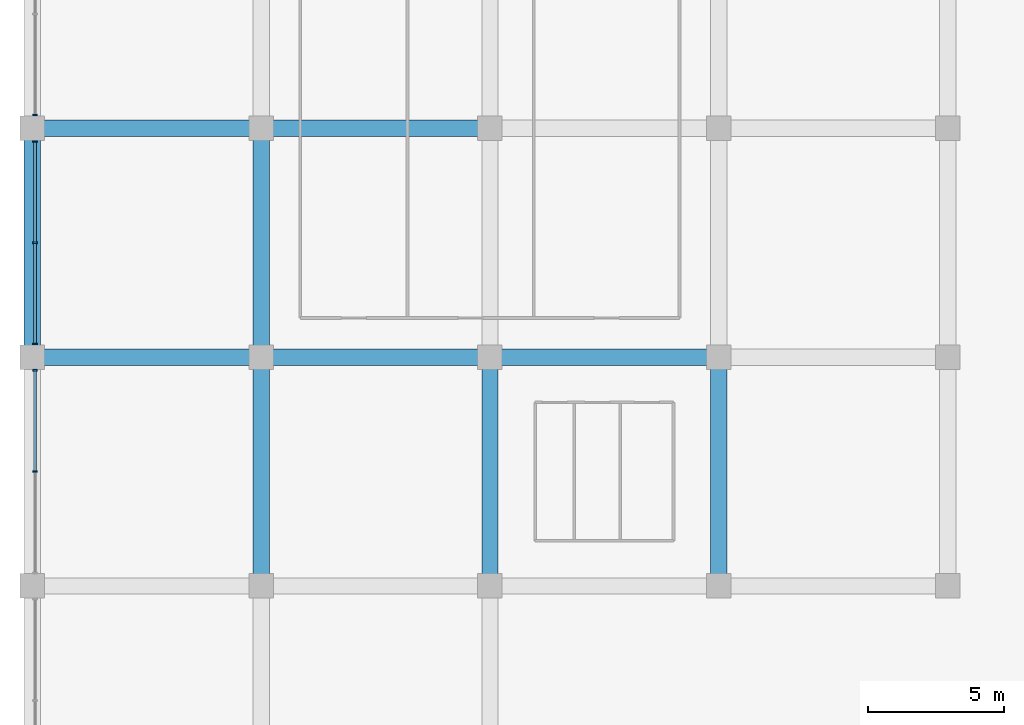
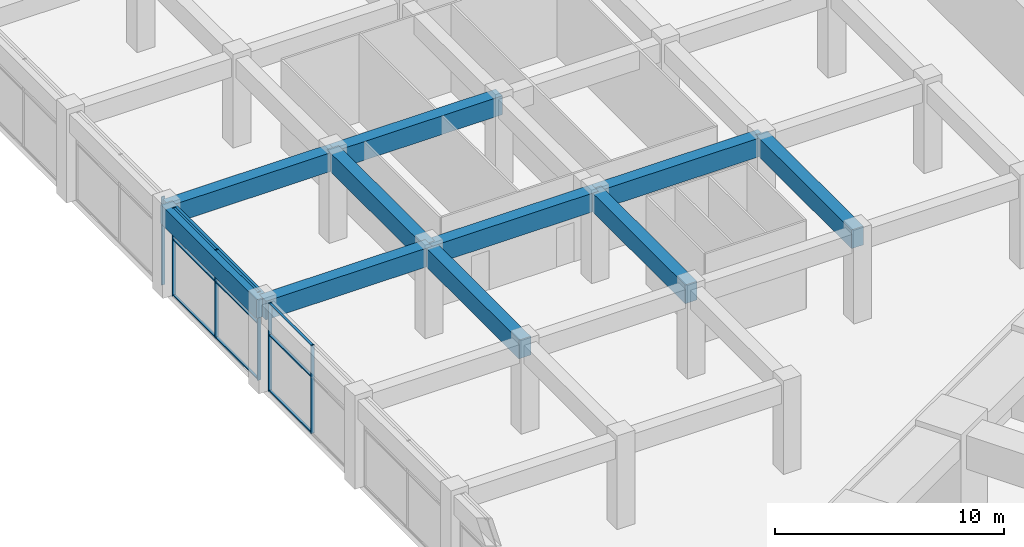
# One storey, part 9 of 36: 15 members, 10 beams, 3 elements without a shape of their own.
"""IFC4 building model written with IfcOpenShell, lengths in metres."""

from ifc_helpers import new_model, si_unit, direction, frame, origin, origin_2d, place, context, subcontext, project, spatial, rectangle, extrude, material, material_profile, profile_set, type_object, element, aggregate, save


model = new_model("IFC4")

# Units and contexts
model_context = context("Model", 3, precision=1e-05, world=origin(), true_north=direction((0.0, 1.0)))
body_context = subcontext(model_context, "Body", "Model", "MODEL_VIEW")
ifc_project = project(units=[si_unit("LENGTHUNIT", "METRE"), si_unit("AREAUNIT", "SQUARE_METRE"), si_unit("VOLUMEUNIT", "CUBIC_METRE"), si_unit("PLANEANGLEUNIT", "RADIAN"), si_unit("MASSUNIT", "GRAM", prefix="KILO")], contexts=[model_context])

# Site, building, storey
site_placement = place(None, origin())
site = spatial("IfcSite", under=ifc_project, at=site_placement, CompositionType="ELEMENT")
building_placement = place(site_placement, origin())
building = spatial("IfcBuilding", under=site, at=building_placement, Name="Impinga Residences", CompositionType="ELEMENT")
storey_placement = place(building_placement, frame((0.0, 0.0, 6.0)))
storey = spatial("IfcBuildingStorey", under=building, at=storey_placement, Name="L01", CompositionType="ELEMENT", Elevation=6.0)

# Curtain wall, members
ifc_material_1 = material(Name="Aluminium stick curtain wall", Category="aluminium")
curtain_wall_type = type_object("IfcCurtainWallType", Name="CW1 podium amenity curtain wall", PredefinedType="USERDEFINED", material=ifc_material_1)
curtain_wall_1_placement = place(storey_placement, origin())
curtain_wall_1 = element("IfcCurtainWall", 1, at=curtain_wall_1_placement, inside=storey, type_object=curtain_wall_type, Name="Curtain wall CW1 L01", ObjectType="STICK CURTAIN WALL", PredefinedType="USERDEFINED")
ifc_material_2 = material(Name="Aluminium mullion", Category="aluminium")
ifc_material_profile_1 = material_profile(ifc_material_2, rectangle(XDim=0.06005859375, YDim=0.179931640625, at=origin_2d()), Name="60x180 mullion")
ifc_profile_set_1 = profile_set([ifc_material_profile_1], Name="Aluminium mullion")
member_type_1 = type_object("IfcMemberType", Name="CW1-M mullion 60x180", PredefinedType="MULLION", material=ifc_profile_set_1)
member_1_placement = place(storey_placement, frame((-50.300048828125, 12.60009765625, 0.0), z_axis=(0.0, 0.0, 1.0), x_axis=(0.0, 1.0, 0.0)))
member_1 = element("IfcMember", 2, at=member_1_placement, type_object=member_type_1, Name="CW1 mullion 2", PredefinedType="MULLION", context=body_context, shape_type="SweptSolid", body=[
    extrude(rectangle(XDim=0.06005859375, YDim=0.179931640625, at=origin_2d()), origin(), (0.0, 0.0, 1.0), 4.699951171875),
])
member_2_placement = place(storey_placement, frame((-50.300048828125, 16.31689453125, 0.0), z_axis=(0.0, 0.0, 1.0), x_axis=(0.0, 1.0, 0.0)))
member_2 = element("IfcMember", 3, at=member_2_placement, type_object=member_type_1, Name="CW1 mullion 3", PredefinedType="MULLION", context=body_context, shape_type="SweptSolid", body=[
    extrude(rectangle(XDim=0.06005859375, YDim=0.179931640625, at=origin_2d()), origin(), (0.0, 0.0, 1.0), 4.699951171875),
])

curtain_wall_2_placement = place(storey_placement, origin())
curtain_wall_2 = element("IfcCurtainWall", 4, at=curtain_wall_2_placement, inside=storey, type_object=curtain_wall_type, Name="Curtain wall CW1 L01", ObjectType="STICK CURTAIN WALL", PredefinedType="USERDEFINED")
member_3_placement = place(storey_placement, frame((-50.300048828125, 17.282958984375, 0.0), z_axis=(0.0, 0.0, 1.0), x_axis=(0.0, 1.0, 0.0)))
member_3 = element("IfcMember", 5, at=member_3_placement, type_object=member_type_1, Name="CW1 mullion 1", PredefinedType="MULLION", context=body_context, shape_type="SweptSolid", body=[
    extrude(rectangle(XDim=0.06005859375, YDim=0.179931640625, at=origin_2d()), origin(), (0.0, 0.0, 1.0), 4.699951171875),
])
member_4_placement = place(storey_placement, frame((-50.300048828125, 21.0, 0.0), z_axis=(0.0, 0.0, 1.0), x_axis=(0.0, 1.0, 0.0)))
member_4 = element("IfcMember", 6, at=member_4_placement, type_object=member_type_1, Name="CW1 mullion 2", PredefinedType="MULLION", context=body_context, shape_type="SweptSolid", body=[
    extrude(rectangle(XDim=0.06005859375, YDim=0.179931640625, at=origin_2d()), origin(), (0.0, 0.0, 1.0), 4.699951171875),
])
member_5_placement = place(storey_placement, frame((-50.300048828125, 24.717041015625, 0.0), z_axis=(0.0, 0.0, 1.0), x_axis=(0.0, 1.0, 0.0)))
member_5 = element("IfcMember", 7, at=member_5_placement, type_object=member_type_1, Name="CW1 mullion 3", PredefinedType="MULLION", context=body_context, shape_type="SweptSolid", body=[
    extrude(rectangle(XDim=0.06005859375, YDim=0.179931640625, at=origin_2d()), origin(), (0.0, 0.0, 1.0), 4.699951171875),
])

# Curtain wall, member
curtain_wall_3_placement = place(storey_placement, origin())
curtain_wall_3 = element("IfcCurtainWall", 8, at=curtain_wall_3_placement, inside=storey, type_object=curtain_wall_type, Name="Curtain wall CW1 L01", ObjectType="STICK CURTAIN WALL", PredefinedType="USERDEFINED")
member_6_placement = place(storey_placement, frame((-50.300048828125, 25.68310546875, 0.0), z_axis=(0.0, 0.0, 1.0), x_axis=(0.0, 1.0, 0.0)))
member_6 = element("IfcMember", 9, at=member_6_placement, type_object=member_type_1, Name="CW1 mullion 1", PredefinedType="MULLION", context=body_context, shape_type="SweptSolid", body=[
    extrude(rectangle(XDim=0.06005859375, YDim=0.179931640625, at=origin_2d()), origin(), (0.0, 0.0, 1.0), 4.699951171875),
])
aggregate(curtain_wall_3, [member_6])

# Member
ifc_material_3 = material(Name="Aluminium transom", Category="aluminium")
ifc_material_profile_2 = material_profile(ifc_material_3, rectangle(XDim=0.06005859375, YDim=0.1201171875, at=origin_2d()), Name="60x120 transom")
ifc_profile_set_2 = profile_set([ifc_material_profile_2], Name="Aluminium transom")
member_type_2 = type_object("IfcMemberType", Name="CW1-T transom 60x120", PredefinedType="USERDEFINED", material=ifc_profile_set_2)
member_7_placement = place(storey_placement, frame((-50.300048828125, 12.6298828125, 0.030029296875), z_axis=(0.0, 1.0, 0.0), x_axis=(0.0, 0.0, 1.0)))
member_7 = element("IfcMember", 10, at=member_7_placement, type_object=member_type_2, Name="CW1 transom 2.1", ObjectType="TRANSOM", PredefinedType="USERDEFINED", context=body_context, shape_type="SweptSolid", body=[
    extrude(rectangle(XDim=0.06005859375, YDim=0.1201171875, at=origin_2d()), origin(), (0.0, 0.0, 1.0), 3.6572265625),
])

member_8_placement = place(storey_placement, frame((-50.300048828125, 12.6298828125, 3.0), z_axis=(0.0, 1.0, 0.0), x_axis=(0.0, 0.0, 1.0)))
member_8 = element("IfcMember", 11, at=member_8_placement, type_object=member_type_2, Name="CW1 transom 2.2", ObjectType="TRANSOM", PredefinedType="USERDEFINED", context=body_context, shape_type="SweptSolid", body=[
    extrude(rectangle(XDim=0.06005859375, YDim=0.1201171875, at=origin_2d()), origin(), (0.0, 0.0, 1.0), 3.6572265625),
])

member_9_placement = place(storey_placement, frame((-50.300048828125, 12.6298828125, 4.669921875), z_axis=(0.0, 1.0, 0.0), x_axis=(0.0, 0.0, 1.0)))
member_9 = element("IfcMember", 12, at=member_9_placement, type_object=member_type_2, Name="CW1 transom 2.3", ObjectType="TRANSOM", PredefinedType="USERDEFINED", context=body_context, shape_type="SweptSolid", body=[
    extrude(rectangle(XDim=0.06005859375, YDim=0.1201171875, at=origin_2d()), origin(), (0.0, 0.0, 1.0), 3.6572265625),
])

aggregate(curtain_wall_1, [member_1, member_2, member_7, member_8, member_9])

member_10_placement = place(storey_placement, frame((-50.300048828125, 17.31298828125, 0.030029296875), z_axis=(0.0, 1.0, 0.0), x_axis=(0.0, 0.0, 1.0)))
member_10 = element("IfcMember", 13, at=member_10_placement, type_object=member_type_2, Name="CW1 transom 1.1", ObjectType="TRANSOM", PredefinedType="USERDEFINED", context=body_context, shape_type="SweptSolid", body=[
    extrude(rectangle(XDim=0.06005859375, YDim=0.1201171875, at=origin_2d()), origin(), (0.0, 0.0, 1.0), 3.656982421875),
])

member_11_placement = place(storey_placement, frame((-50.300048828125, 17.31298828125, 3.0), z_axis=(0.0, 1.0, 0.0), x_axis=(0.0, 0.0, 1.0)))
member_11 = element("IfcMember", 14, at=member_11_placement, type_object=member_type_2, Name="CW1 transom 1.2", ObjectType="TRANSOM", PredefinedType="USERDEFINED", context=body_context, shape_type="SweptSolid", body=[
    extrude(rectangle(XDim=0.06005859375, YDim=0.1201171875, at=origin_2d()), origin(), (0.0, 0.0, 1.0), 3.656982421875),
])

member_12_placement = place(storey_placement, frame((-50.300048828125, 17.31298828125, 4.669921875), z_axis=(0.0, 1.0, 0.0), x_axis=(0.0, 0.0, 1.0)))
member_12 = element("IfcMember", 15, at=member_12_placement, type_object=member_type_2, Name="CW1 transom 1.3", ObjectType="TRANSOM", PredefinedType="USERDEFINED", context=body_context, shape_type="SweptSolid", body=[
    extrude(rectangle(XDim=0.06005859375, YDim=0.1201171875, at=origin_2d()), origin(), (0.0, 0.0, 1.0), 3.656982421875),
])

member_13_placement = place(storey_placement, frame((-50.300048828125, 21.030029296875, 0.030029296875), z_axis=(0.0, 1.0, 0.0), x_axis=(0.0, 0.0, 1.0)))
member_13 = element("IfcMember", 16, at=member_13_placement, type_object=member_type_2, Name="CW1 transom 2.1", ObjectType="TRANSOM", PredefinedType="USERDEFINED", context=body_context, shape_type="SweptSolid", body=[
    extrude(rectangle(XDim=0.06005859375, YDim=0.1201171875, at=origin_2d()), origin(), (0.0, 0.0, 1.0), 3.656982421875),
])

member_14_placement = place(storey_placement, frame((-50.300048828125, 21.030029296875, 3.0), z_axis=(0.0, 1.0, 0.0), x_axis=(0.0, 0.0, 1.0)))
member_14 = element("IfcMember", 17, at=member_14_placement, type_object=member_type_2, Name="CW1 transom 2.2", ObjectType="TRANSOM", PredefinedType="USERDEFINED", context=body_context, shape_type="SweptSolid", body=[
    extrude(rectangle(XDim=0.06005859375, YDim=0.1201171875, at=origin_2d()), origin(), (0.0, 0.0, 1.0), 3.656982421875),
])

member_15_placement = place(storey_placement, frame((-50.300048828125, 21.030029296875, 4.669921875), z_axis=(0.0, 1.0, 0.0), x_axis=(0.0, 0.0, 1.0)))
member_15 = element("IfcMember", 18, at=member_15_placement, type_object=member_type_2, Name="CW1 transom 2.3", ObjectType="TRANSOM", PredefinedType="USERDEFINED", context=body_context, shape_type="SweptSolid", body=[
    extrude(rectangle(XDim=0.06005859375, YDim=0.1201171875, at=origin_2d()), origin(), (0.0, 0.0, 1.0), 3.656982421875),
])

aggregate(curtain_wall_2, [member_3, member_4, member_5, member_10, member_11, member_12, member_13, member_14, member_15])

# Beams
ifc_material_4 = material(Name="Concrete C60/75", Category="concrete")
ifc_material_profile_3 = material_profile(ifc_material_4, rectangle(XDim=0.60009765625, YDim=1.0, at=origin_2d()), Name="RC 600x1000")
ifc_profile_set_3 = profile_set([ifc_material_profile_3], Name="Concrete C60/75")
beam_type = type_object("IfcBeamType", Name="PB2 600x1000 podium beam", PredefinedType="BEAM", material=ifc_profile_set_3)
for number, where, z_axis, x_axis, name in (
    (19, (-50.39990234375, 16.800048828125, 4.199951171875), (1.0, 0.0, 0.0), (0.0, 1.0, 0.0), "Beam PB2 H/1-2 level L02"),
    (20, (-42.0, 16.800048828125, 4.199951171875), (1.0, 0.0, 0.0), (0.0, 1.0, 0.0), "Beam PB2 H/2-3 level L02"),
):
    element("IfcBeam", number, at=place(storey_placement, frame(where, z_axis=z_axis, x_axis=x_axis)), inside=storey, type_object=beam_type, Name=name, PredefinedType="BEAM", context=body_context, shape_type="SweptSolid", body=[
        extrude(rectangle(XDim=0.60009765625, YDim=1.0, at=origin_2d()), origin(), (0.0, 0.0, 1.0), 8.39990234375),
    ])
beam_1_placement = place(storey_placement, frame((-33.60009765625, 16.800048828125, 4.199951171875), z_axis=(1.0, 0.0, 0.0), x_axis=(0.0, 1.0, 0.0)))
element("IfcBeam", 21, at=beam_1_placement, inside=storey, type_object=beam_type, Name="Beam PB2 H/3-4 level L02", PredefinedType="BEAM", context=body_context, shape_type="SweptSolid", body=[
    extrude(rectangle(XDim=0.60009765625, YDim=1.0, at=origin_2d()), origin(), (0.0, 0.0, 1.0), 8.400146484375),
])
for number, where, z_axis, x_axis, name in (
    (22, (-50.39990234375, 25.199951171875, 4.199951171875), (1.0, 0.0, 0.0), (0.0, 1.0, 0.0), "Beam PB2 J/1-2 level L02"),
    (23, (-42.0, 25.199951171875, 4.199951171875), (1.0, 0.0, 0.0), (0.0, 1.0, 0.0), "Beam PB2 J/2-3 level L02"),
    (24, (-50.39990234375, 16.800048828125, 4.199951171875), (0.0, 1.0, 0.0), (-1.0, 0.0, 0.0), "Beam PB2 1/H-J level L02"),
):
    element("IfcBeam", number, at=place(storey_placement, frame(where, z_axis=z_axis, x_axis=x_axis)), inside=storey, type_object=beam_type, Name=name, PredefinedType="BEAM", context=body_context, shape_type="SweptSolid", body=[
        extrude(rectangle(XDim=0.60009765625, YDim=1.0, at=origin_2d()), origin(), (0.0, 0.0, 1.0), 8.39990234375),
    ])
beam_2_placement = place(storey_placement, frame((-42.0, 8.39990234375, 4.199951171875), z_axis=(0.0, 1.0, 0.0), x_axis=(-1.0, 0.0, 0.0)))
element("IfcBeam", 25, at=beam_2_placement, inside=storey, type_object=beam_type, Name="Beam PB2 2/G-H level L02", PredefinedType="BEAM", context=body_context, shape_type="SweptSolid", body=[
    extrude(rectangle(XDim=0.60009765625, YDim=1.0, at=origin_2d()), origin(), (0.0, 0.0, 1.0), 8.400146484375),
])
beam_3_placement = place(storey_placement, frame((-42.0, 16.800048828125, 4.199951171875), z_axis=(0.0, 1.0, 0.0), x_axis=(-1.0, 0.0, 0.0)))
element("IfcBeam", 26, at=beam_3_placement, inside=storey, type_object=beam_type, Name="Beam PB2 2/H-J level L02", PredefinedType="BEAM", context=body_context, shape_type="SweptSolid", body=[
    extrude(rectangle(XDim=0.60009765625, YDim=1.0, at=origin_2d()), origin(), (0.0, 0.0, 1.0), 8.39990234375),
])
for number, where, z_axis, x_axis, name in (
    (27, (-33.60009765625, 8.39990234375, 4.199951171875), (0.0, 1.0, 0.0), (-1.0, 0.0, 0.0), "Beam PB2 3/G-H level L02"),
    (28, (-25.199951171875, 8.39990234375, 4.199951171875), (0.0, 1.0, 0.0), (-1.0, 0.0, 0.0), "Beam PB2 4/G-H level L02"),
):
    element("IfcBeam", number, at=place(storey_placement, frame(where, z_axis=z_axis, x_axis=x_axis)), inside=storey, type_object=beam_type, Name=name, PredefinedType="BEAM", context=body_context, shape_type="SweptSolid", body=[
        extrude(rectangle(XDim=0.60009765625, YDim=1.0, at=origin_2d()), origin(), (0.0, 0.0, 1.0), 8.400146484375),
    ])

save(model, "model.ifc")
